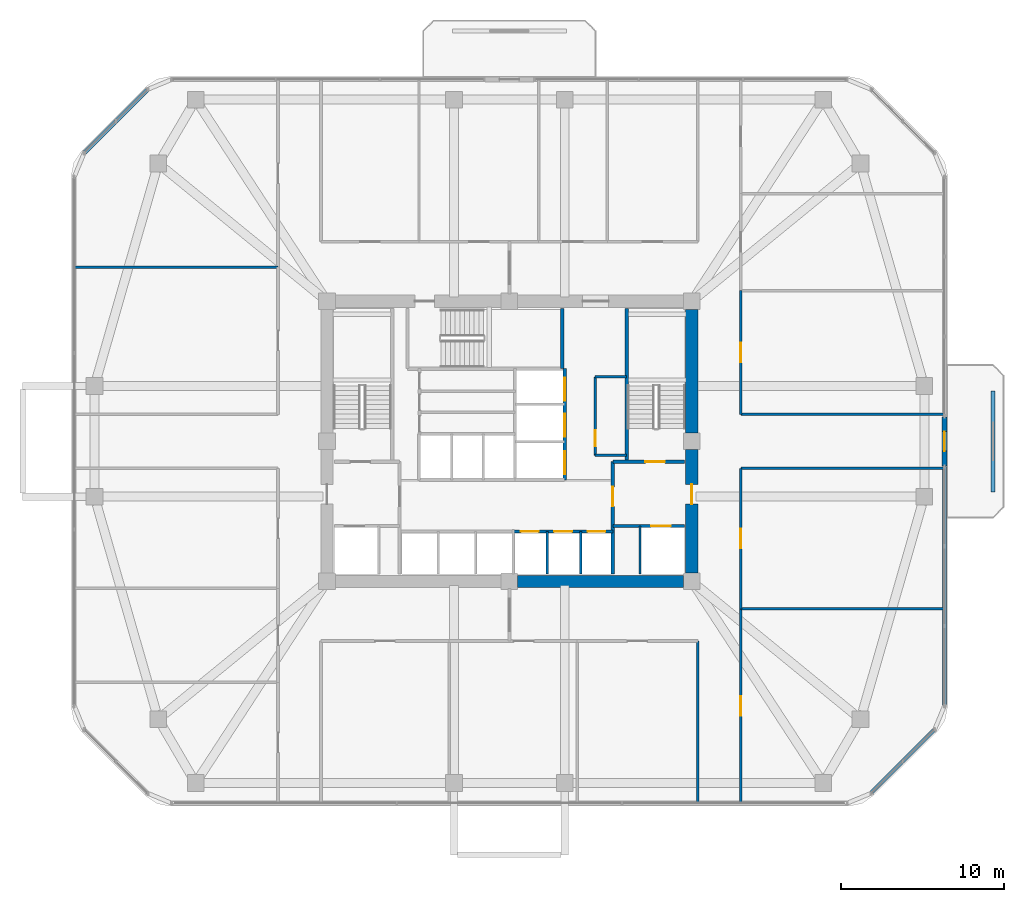
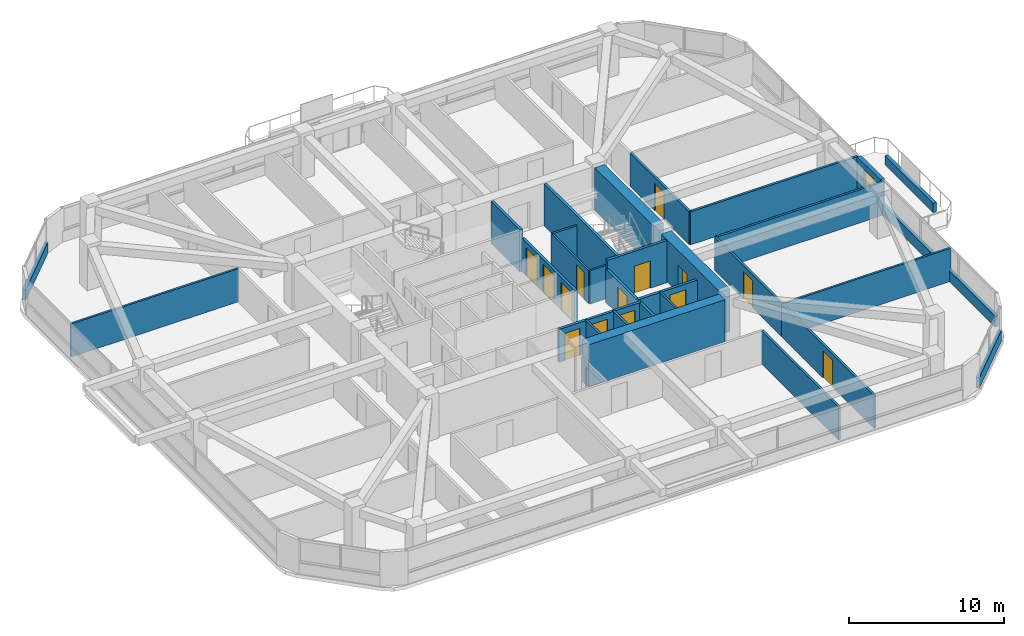
# One storey, part 10 of 14: 29 walls, 15 doors, 15 openings.
"""IFC4 building model written with IfcOpenShell, lengths in metres."""

from ifc_helpers import new_model, si_unit, derived_unit, direction, frame, frame_2d, origin, place, context, subcontext, project, spatial, rectangle, extrude, material, layer, layer_set, type_object, element, fill, save


model = new_model("IFC4")

# Units and contexts
model_context = context("Model", 3, precision=1e-05, world=origin(), true_north=direction((0.0, 1.0)))
body_context = subcontext(model_context, "Body", "Model", "MODEL_VIEW")
ifc_project = project(units=[si_unit("LENGTHUNIT", "METRE"), si_unit("AREAUNIT", "SQUARE_METRE"), si_unit("VOLUMEUNIT", "CUBIC_METRE"), si_unit("PLANEANGLEUNIT", "RADIAN"), si_unit("MASSUNIT", "GRAM", prefix="KILO"), derived_unit("THERMALTRANSMITTANCEUNIT", [(si_unit("POWERUNIT", "WATT"), 1), (si_unit("LENGTHUNIT", "METRE"), -2), (si_unit("THERMODYNAMICTEMPERATUREUNIT", "KELVIN"), -1)])], contexts=[model_context])

# Site, building, storey
site_placement = place(None, origin())
site = spatial("IfcSite", under=ifc_project, at=site_placement, CompositionType="ELEMENT")
building_placement = place(site_placement, origin())
building = spatial("IfcBuilding", under=site, at=building_placement, Name="Koralith Skygarden Medical Center", CompositionType="ELEMENT")
storey_placement = place(building_placement, frame((0.0, 0.0, 81.179931640625)))
storey = spatial("IfcBuildingStorey", under=building, at=storey_placement, Name="L20", CompositionType="ELEMENT", Elevation=81.179931640625)

# Wall, opening, door
ifc_material_1 = material(Name="Gypsum Board Partition")
ifc_layer_1 = layer(ifc_material_1, 0.14990234375)
ifc_layer_set_1 = layer_set([ifc_layer_1], Name="Gypsum Board Partition")
wall_type_1 = type_object("IfcWallType", Name="Clinical Acoustic Partition 150", PredefinedType="PARTITIONING", material=ifc_layer_set_1)
wall_1_placement = place(storey_placement, frame((42.27001953125, 25.0400390625, 0.0), z_axis=(0.0, 0.0, 1.0), x_axis=(0.0, 1.0, 0.0)))
wall_1 = element("IfcWall", 1, at=wall_1_placement, inside=storey, type_object=wall_type_1, Name="L20 Clinical Acoustic Partition 150 W-CORE-L20-ESUB-W", PredefinedType="PARTITIONING", context=body_context, shape_type="SweptSolid", body=[
    extrude(rectangle(XDim=4.820068359375, YDim=0.14990234375, at=frame_2d((2.41015625, 0.0))), origin(), (0.0, 0.0, 1.0), 2.610107421875),
])
opening_1_placement = place(wall_1_placement, frame((0.550048828125, 0.0, 0.0)))
opening_1 = element("IfcOpeningElement", 2, at=opening_1_placement, cuts=wall_1, Name="Opening D-SUP", PredefinedType="OPENING", context=body_context, shape_type="SweptSolid", body=[
    extrude(rectangle(XDim=1.0, YDim=2.14990234375, at=frame_2d((0.5, 1.074951171875))), frame((0.0, 0.0849609375, 0.0), z_axis=(0.0, -1.0, 0.0), x_axis=(1.0, 0.0, 0.0)), (0.0, 0.0, 1.0), 0.169921875),
])
ifc_material_2 = material(Name="Aluminium 6063-T6", Category="aluminium")
door_type_1 = type_object("IfcDoorType", Name="Clinical Support Door D-SUP 1000", OperationType="NOTDEFINED", PredefinedType="DOOR", material=ifc_material_2)
door_1_placement = place(opening_1_placement, origin())
door_1 = element("IfcDoor", 3, at=door_1_placement, inside=storey, type_object=door_type_1, Name="L20 Core Equipment Store Door", OperationType="SINGLE_SWING_LEFT", OverallHeight=2.14990234375, OverallWidth=1.0, PredefinedType="DOOR", context=body_context, shape_type="SweptSolid", body=[
    extrude(rectangle(XDim=1.0, YDim=2.14990234375, at=frame_2d((0.5, 1.074951171875))), frame((0.0, 0.02490234375, 0.0), z_axis=(0.0, -1.0, 0.0), x_axis=(1.0, 0.0, 0.0)), (0.0, 0.0, 1.0), 0.050048828125),
])
fill(opening_1, door_1)

# Walls
for number, where, z_axis, x_axis, name in (
    (4, (42.27001953125, 25.0400390625, 0.0), (0.0, 0.0, 1.0), (1.0, 0.0, 0.0), "L20 Clinical Acoustic Partition 150 W-CORE-L20-ESUB-S"),
    (5, (42.27001953125, 29.860107421875, 0.0), (0.0, 0.0, 1.0), (1.0, 0.0, 0.0), "L20 Clinical Acoustic Partition 150 W-CORE-L20-ESUB-N"),
):
    element("IfcWall", number, at=place(storey_placement, frame(where, z_axis=z_axis, x_axis=x_axis)), inside=storey, type_object=wall_type_1, Name=name, PredefinedType="PARTITIONING", context=body_context, shape_type="SweptSolid", body=[
        extrude(rectangle(XDim=1.929931640625, YDim=0.14990234375, at=frame_2d((0.96484375, 0.0))), origin(), (0.0, 0.0, 1.0), 2.610107421875),
    ])
for number, where, z_axis, x_axis, name in (
    (6, (22.7900390625, 36.597900390625, 0.0), (0.0, 0.0, 1.0), (-1.0, 0.0, 0.0), "L20 Clinical Acoustic Partition 150 W-PART-L20-WN-01"),
    (7, (51.2099609375, 15.613037109375, 0.0), (0.0, 0.0, 1.0), (1.0, 0.0, 0.0), "L20 Clinical Acoustic Partition 150 W-PART-L20-ES-01"),
):
    element("IfcWall", number, at=place(storey_placement, frame(where, z_axis=z_axis, x_axis=x_axis)), inside=storey, type_object=wall_type_1, Name=name, PredefinedType="PARTITIONING", context=body_context, shape_type="SweptSolid", body=[
        extrude(rectangle(XDim=12.489990234375, YDim=0.14990234375, at=frame_2d((6.2451171875, 0.0))), origin(), (0.0, 0.0, 1.0), 2.610107421875),
    ])
ifc_layer_2 = layer(ifc_material_1, 0.1650390625)
ifc_layer_set_2 = layer_set([ifc_layer_2], Name="Gypsum Board Partition")
wall_type_2 = type_object("IfcWallType", Name="Clinical Corridor Partition 165", PredefinedType="PARTITIONING", material=ifc_layer_set_2)
wall_2_placement = place(storey_placement, frame((48.570068359375, 3.699951171875, 0.0), z_axis=(0.0, 0.0, 1.0), x_axis=(0.0, 1.0, 0.0)))
element("IfcWall", 8, at=wall_2_placement, inside=storey, type_object=wall_type_2, Name="L20 Clinical Corridor Partition 165 W-HCOR-L20-SE", PredefinedType="PARTITIONING", context=body_context, shape_type="SweptSolid", body=[
    extrude(rectangle(XDim=9.93994140625, YDim=0.1650390625, at=frame_2d((4.969970703125, 0.0))), origin(), (0.0, 0.0, 1.0), 2.610107421875),
])
for number, where, z_axis, x_axis, name in (
    (9, (51.2099609375, 24.239990234375, 0.0), (0.0, 0.0, 1.0), (1.0, 0.0, 0.0), "L20 Clinical Corridor Partition 165 W-HCOR-L20-EWS-E"),
    (10, (51.2099609375, 27.56005859375, 0.0), (0.0, 0.0, 1.0), (1.0, 0.0, 0.0), "L20 Clinical Corridor Partition 165 W-HCOR-L20-EWN-E"),
):
    element("IfcWall", number, at=place(storey_placement, frame(where, z_axis=z_axis, x_axis=x_axis)), inside=storey, type_object=wall_type_2, Name=name, PredefinedType="PARTITIONING", context=body_context, shape_type="SweptSolid", body=[
        extrude(rectangle(XDim=12.489990234375, YDim=0.1650390625, at=frame_2d((6.2451171875, 0.0))), origin(), (0.0, 0.0, 1.0), 2.610107421875),
    ])

# Wall, opening, door
wall_3_placement = place(storey_placement, frame((51.2099609375, 3.699951171875, 0.0), z_axis=(0.0, 0.0, 1.0), x_axis=(0.0, 1.0, 0.0)))
wall_3 = element("IfcWall", 11, at=wall_3_placement, inside=storey, type_object=wall_type_2, Name="L20 Clinical Corridor Partition 165 W-CORR-L20-ES-01", PredefinedType="PARTITIONING", context=body_context, shape_type="SweptSolid", body=[
    extrude(rectangle(XDim=11.9130859375, YDim=0.1650390625, at=frame_2d((5.95654296875, 0.0))), origin(), (0.0, 0.0, 1.0), 2.610107421875),
])
opening_2_placement = place(wall_3_placement, frame((5.35693359375, 0.0, 0.0)))
opening_2 = element("IfcOpeningElement", 12, at=opening_2_placement, cuts=wall_3, Name="Opening D-CLN", PredefinedType="OPENING", context=body_context, shape_type="SweptSolid", body=[
    extrude(rectangle(XDim=1.199951171875, YDim=2.14990234375, at=frame_2d((0.60009765625, 1.074951171875))), frame((0.0, 0.092529296875, 0.0), z_axis=(0.0, -1.0, 0.0), x_axis=(1.0, 0.0, 0.0)), (0.0, 0.0, 1.0), 0.18505859375),
])
door_type_2 = type_object("IfcDoorType", Name="Clinical Corridor Door D-CLN 1200", OperationType="NOTDEFINED", PredefinedType="DOOR", material=ifc_material_2)
door_2_placement = place(opening_2_placement, origin())
door_2 = element("IfcDoor", 13, at=door_2_placement, inside=storey, type_object=door_type_2, Name="L20 Clinical Consultation Office 13 Door", OperationType="SINGLE_SWING_RIGHT", OverallHeight=2.14990234375, OverallWidth=1.199951171875, PredefinedType="DOOR", context=body_context, shape_type="SweptSolid", body=[
    extrude(rectangle(XDim=1.199951171875, YDim=2.14990234375, at=frame_2d((0.60009765625, 1.074951171875))), frame((0.0, 0.02490234375, 0.0), z_axis=(0.0, -1.0, 0.0), x_axis=(1.0, 0.0, 0.0)), (0.0, 0.0, 1.0), 0.050048828125),
])
fill(opening_2, door_2)

wall_4_placement = place(storey_placement, frame((51.2099609375, 15.613037109375, 0.0), z_axis=(0.0, 0.0, 1.0), x_axis=(0.0, 1.0, 0.0)))
wall_4 = element("IfcWall", 14, at=wall_4_placement, inside=storey, type_object=wall_type_2, Name="L20 Clinical Corridor Partition 165 W-CORR-L20-ES-02", PredefinedType="PARTITIONING", context=body_context, shape_type="SweptSolid", body=[
    extrude(rectangle(XDim=8.626953125, YDim=0.1650390625, at=frame_2d((4.3134765625, 0.0))), origin(), (0.0, 0.0, 1.0), 2.610107421875),
])
opening_3_placement = place(wall_4_placement, frame((3.712890625, 0.0, 0.0)))
opening_3 = element("IfcOpeningElement", 15, at=opening_3_placement, cuts=wall_4, Name="Opening D-CLN", PredefinedType="OPENING", context=body_context, shape_type="SweptSolid", body=[
    extrude(rectangle(XDim=1.199951171875, YDim=2.14990234375, at=frame_2d((0.60009765625, 1.074951171875))), frame((0.0, 0.092529296875, 0.0), z_axis=(0.0, -1.0, 0.0), x_axis=(1.0, 0.0, 0.0)), (0.0, 0.0, 1.0), 0.18505859375),
])
door_3_placement = place(opening_3_placement, origin())
door_3 = element("IfcDoor", 16, at=door_3_placement, inside=storey, type_object=door_type_2, Name="L20 Physician Consultation Office 14 Door", OperationType="SINGLE_SWING_LEFT", OverallHeight=2.14990234375, OverallWidth=1.199951171875, PredefinedType="DOOR", context=body_context, shape_type="SweptSolid", body=[
    extrude(rectangle(XDim=1.199951171875, YDim=2.14990234375, at=frame_2d((0.60009765625, 1.074951171875))), frame((0.0, 0.02490234375, 0.0), z_axis=(0.0, -1.0, 0.0), x_axis=(1.0, 0.0, 0.0)), (0.0, 0.0, 1.0), 0.050048828125),
])
fill(opening_3, door_3)

wall_5_placement = place(storey_placement, frame((51.2099609375, 27.56005859375, 0.0), z_axis=(0.0, 0.0, 1.0), x_axis=(0.0, 1.0, 0.0)))
wall_5 = element("IfcWall", 17, at=wall_5_placement, inside=storey, type_object=wall_type_2, Name="L20 Clinical Corridor Partition 165 W-CORR-L20-EN-01", PredefinedType="PARTITIONING", context=body_context, shape_type="SweptSolid", body=[
    extrude(rectangle(XDim=7.5908203125, YDim=0.1650390625, at=frame_2d((3.79541015625, 0.0))), origin(), (0.0, 0.0, 1.0), 2.610107421875),
])
opening_4_placement = place(wall_5_placement, frame((3.196044921875, 0.0, 0.0)))
opening_4 = element("IfcOpeningElement", 18, at=opening_4_placement, cuts=wall_5, Name="Opening D-CLN", PredefinedType="OPENING", context=body_context, shape_type="SweptSolid", body=[
    extrude(rectangle(XDim=1.199951171875, YDim=2.14990234375, at=frame_2d((0.60009765625, 1.074951171875))), frame((0.0, 0.092529296875, 0.0), z_axis=(0.0, -1.0, 0.0), x_axis=(1.0, 0.0, 0.0)), (0.0, 0.0, 1.0), 0.18505859375),
])
door_4_placement = place(opening_4_placement, origin())
door_4 = element("IfcDoor", 19, at=door_4_placement, inside=storey, type_object=door_type_2, Name="L20 Clinical Case Conference Room 15 Door", OperationType="SINGLE_SWING_RIGHT", OverallHeight=2.14990234375, OverallWidth=1.199951171875, PredefinedType="DOOR", context=body_context, shape_type="SweptSolid", body=[
    extrude(rectangle(XDim=1.199951171875, YDim=2.14990234375, at=frame_2d((0.60009765625, 1.074951171875))), frame((0.0, 0.02490234375, 0.0), z_axis=(0.0, -1.0, 0.0), x_axis=(1.0, 0.0, 0.0)), (0.0, 0.0, 1.0), 0.050048828125),
])
fill(opening_4, door_4)

ifc_layer_3 = layer(ifc_material_1, 0.199951171875)
ifc_layer_set_3 = layer_set([ifc_layer_3], Name="Gypsum Board Partition")
wall_type_3 = type_object("IfcWallType", Name="Fire Shaft Wall 200", PredefinedType="SOLIDWALL", material=ifc_layer_set_3)
wall_6_placement = place(storey_placement, frame((43.35009765625, 20.699951171875, 0.0), z_axis=(0.0, 0.0, 1.0), x_axis=(1.0, 0.0, 0.0)))
wall_6 = element("IfcWall", 20, at=wall_6_placement, inside=storey, type_object=wall_type_3, Name="L20 Fire Shaft Wall 200 W-CORE-L20-FF2-N", PredefinedType="SOLIDWALL", context=body_context, shape_type="SweptSolid", body=[
    extrude(rectangle(XDim=4.39990234375, YDim=0.199951171875, at=frame_2d((2.199951171875, 0.0))), origin(), (0.0, 0.0, 1.0), 2.610107421875),
])
opening_5_placement = place(wall_6_placement, frame((2.35009765625, 0.0, 0.0)))
opening_5 = element("IfcOpeningElement", 21, at=opening_5_placement, cuts=wall_6, Name="Opening LD-FF", PredefinedType="OPENING", context=body_context, shape_type="SweptSolid", body=[
    extrude(rectangle(XDim=1.199951171875, YDim=2.14990234375, at=frame_2d((0.60009765625, 1.074951171875))), frame((0.0, 0.10986328125, 0.0), z_axis=(0.0, -1.0, 0.0), x_axis=(1.0, 0.0, 0.0)), (0.0, 0.0, 1.0), 0.219970703125),
])
ifc_material_3 = material(Name="Steel ASTM A500 Grade C", Category="steel")
door_type_3 = type_object("IfcDoorType", Name="Fire Lift Sliding Landing Door LD-FF 1200", OperationType="NOTDEFINED", PredefinedType="DOOR", material=ifc_material_3)
door_5_placement = place(opening_5_placement, origin())
door_5 = element("IfcDoor", 22, at=door_5_placement, inside=storey, type_object=door_type_3, Name="L20 Fire Service Elevator FF2 Landing Door", OperationType="SLIDING_TO_RIGHT", OverallHeight=2.14990234375, OverallWidth=1.199951171875, PredefinedType="DOOR", context=body_context, shape_type="SweptSolid", body=[
    extrude(rectangle(XDim=1.199951171875, YDim=2.14990234375, at=frame_2d((0.60009765625, 1.074951171875))), frame((0.0, 0.02490234375, 0.0), z_axis=(0.0, -1.0, 0.0), x_axis=(1.0, 0.0, 0.0)), (0.0, 0.0, 1.0), 0.050048828125),
])
fill(opening_5, door_5)

wall_7_placement = place(storey_placement, frame((43.35009765625, 17.75, 0.0), z_axis=(0.0, 0.0, 1.0), x_axis=(0.0, 1.0, 0.0)))
wall_7 = element("IfcWall", 23, at=wall_7_placement, inside=storey, type_object=wall_type_3, Name="L20 Fire Shaft Wall 200 W-CORE-L20-FSAEE-W", PredefinedType="SOLIDWALL", context=body_context, shape_type="SweptSolid", body=[
    extrude(rectangle(XDim=6.89990234375, YDim=0.199951171875, at=frame_2d((3.449951171875, 0.0))), origin(), (0.0, 0.0, 1.0), 2.610107421875),
])
opening_6_placement = place(wall_7_placement, frame((4.14990234375, 0.0, 0.0)))
opening_6 = element("IfcOpeningElement", 24, at=opening_6_placement, cuts=wall_7, Name="Opening D-ST60", PredefinedType="OPENING", context=body_context, shape_type="SweptSolid", body=[
    extrude(rectangle(XDim=1.199951171875, YDim=2.14990234375, at=frame_2d((0.60009765625, 1.074951171875))), frame((0.0, 0.10986328125, 0.0), z_axis=(0.0, -1.0, 0.0), x_axis=(1.0, 0.0, 0.0)), (0.0, 0.0, 1.0), 0.219970703125),
])
door_type_4 = type_object("IfcDoorType", Name="Smokeproof Stair Fire Door FD60S 1200", OperationType="NOTDEFINED", PredefinedType="DOOR", material=ifc_material_3)
door_6_placement = place(opening_6_placement, frame((1.199951171875, 0.0, 0.0), z_axis=(0.0, 0.0, 1.0), x_axis=(-1.0, 0.0, 0.0)))
door_6 = element("IfcDoor", 25, at=door_6_placement, inside=storey, type_object=door_type_4, Name="L20 East Firefighting Lobby Inner Fire Door", OperationType="SINGLE_SWING_RIGHT", OverallHeight=2.14990234375, OverallWidth=1.199951171875, PredefinedType="DOOR", context=body_context, shape_type="SweptSolid", body=[
    extrude(rectangle(XDim=1.199951171875, YDim=2.14990234375, at=frame_2d((0.60009765625, 1.074951171875))), frame((0.0, 0.02490234375, 0.0), z_axis=(0.0, -1.0, 0.0), x_axis=(1.0, 0.0, 0.0)), (0.0, 0.0, 1.0), 0.050048828125),
])
fill(opening_6, door_6)

# Wall, openings, doors
wall_8_placement = place(storey_placement, frame((37.25, 20.360107421875, 0.0), z_axis=(0.0, 0.0, 1.0), x_axis=(1.0, 0.0, 0.0)))
wall_8 = element("IfcWall", 26, at=wall_8_placement, inside=storey, type_object=wall_type_3, Name="L20 Fire Shaft Wall 200 W-CORE-L20-PM-N", PredefinedType="SOLIDWALL", context=body_context, shape_type="SweptSolid", body=[
    extrude(rectangle(XDim=6.10009765625, YDim=0.199951171875, at=frame_2d((3.050048828125, 0.0))), origin(), (0.0, 0.0, 1.0), 2.610107421875),
])
opening_7_placement = place(wall_8_placement, frame((0.449951171875, 0.0, 0.0)))
opening_7 = element("IfcOpeningElement", 27, at=opening_7_placement, cuts=wall_8, Name="Opening LD-P", PredefinedType="OPENING", context=body_context, shape_type="SweptSolid", body=[
    extrude(rectangle(XDim=1.10009765625, YDim=2.14990234375, at=frame_2d((0.550048828125, 1.074951171875))), frame((0.0, 0.10986328125, 0.0), z_axis=(0.0, -1.0, 0.0), x_axis=(1.0, 0.0, 0.0)), (0.0, 0.0, 1.0), 0.219970703125),
])
opening_8_placement = place(wall_8_placement, frame((2.5, 0.0, 0.0)))
opening_8 = element("IfcOpeningElement", 28, at=opening_8_placement, cuts=wall_8, Name="Opening LD-P", PredefinedType="OPENING", context=body_context, shape_type="SweptSolid", body=[
    extrude(rectangle(XDim=1.10009765625, YDim=2.14990234375, at=frame_2d((0.550048828125, 1.074951171875))), frame((0.0, 0.10986328125, 0.0), z_axis=(0.0, -1.0, 0.0), x_axis=(1.0, 0.0, 0.0)), (0.0, 0.0, 1.0), 0.219970703125),
])
opening_9_placement = place(wall_8_placement, frame((4.550048828125, 0.0, 0.0)))
opening_9 = element("IfcOpeningElement", 29, at=opening_9_placement, cuts=wall_8, Name="Opening LD-P", PredefinedType="OPENING", context=body_context, shape_type="SweptSolid", body=[
    extrude(rectangle(XDim=1.10009765625, YDim=2.14990234375, at=frame_2d((0.550048828125, 1.074951171875))), frame((0.0, 0.10986328125, 0.0), z_axis=(0.0, -1.0, 0.0), x_axis=(1.0, 0.0, 0.0)), (0.0, 0.0, 1.0), 0.219970703125),
])
door_type_5 = type_object("IfcDoorType", Name="Passenger Lift Sliding Landing Door LD-P 1100", OperationType="NOTDEFINED", PredefinedType="DOOR", material=ifc_material_3)
door_7_placement = place(opening_7_placement, origin())
door_7 = element("IfcDoor", 30, at=door_7_placement, inside=storey, type_object=door_type_5, Name="L20 Passenger Elevator PM1 Landing Door", OperationType="SLIDING_TO_LEFT", OverallHeight=2.14990234375, OverallWidth=1.10009765625, PredefinedType="DOOR", context=body_context, shape_type="SweptSolid", body=[
    extrude(rectangle(XDim=1.10009765625, YDim=2.14990234375, at=frame_2d((0.550048828125, 1.074951171875))), frame((0.0, 0.02490234375, 0.0), z_axis=(0.0, -1.0, 0.0), x_axis=(1.0, 0.0, 0.0)), (0.0, 0.0, 1.0), 0.050048828125),
])
fill(opening_7, door_7)
door_8_placement = place(opening_8_placement, origin())
door_8 = element("IfcDoor", 31, at=door_8_placement, inside=storey, type_object=door_type_5, Name="L20 Passenger Elevator PM2 Landing Door", OperationType="SLIDING_TO_LEFT", OverallHeight=2.14990234375, OverallWidth=1.10009765625, PredefinedType="DOOR", context=body_context, shape_type="SweptSolid", body=[
    extrude(rectangle(XDim=1.10009765625, YDim=2.14990234375, at=frame_2d((0.550048828125, 1.074951171875))), frame((0.0, 0.02490234375, 0.0), z_axis=(0.0, -1.0, 0.0), x_axis=(1.0, 0.0, 0.0)), (0.0, 0.0, 1.0), 0.050048828125),
])
fill(opening_8, door_8)
door_9_placement = place(opening_9_placement, origin())
door_9 = element("IfcDoor", 32, at=door_9_placement, inside=storey, type_object=door_type_5, Name="L20 Passenger Elevator PM3 Landing Door", OperationType="SLIDING_TO_LEFT", OverallHeight=2.14990234375, OverallWidth=1.10009765625, PredefinedType="DOOR", context=body_context, shape_type="SweptSolid", body=[
    extrude(rectangle(XDim=1.10009765625, YDim=2.14990234375, at=frame_2d((0.550048828125, 1.074951171875))), frame((0.0, 0.02490234375, 0.0), z_axis=(0.0, -1.0, 0.0), x_axis=(1.0, 0.0, 0.0)), (0.0, 0.0, 1.0), 0.050048828125),
])
fill(opening_9, door_9)

wall_9_placement = place(storey_placement, frame((40.39990234375, 23.5400390625, 0.0), z_axis=(0.0, 0.0, 1.0), x_axis=(0.0, 1.0, 0.0)))
wall_9 = element("IfcWall", 33, at=wall_9_placement, inside=storey, type_object=wall_type_3, Name="L20 Fire Shaft Wall 200 W-CORE-L20-SV-E", PredefinedType="SOLIDWALL", context=body_context, shape_type="SweptSolid", body=[
    extrude(rectangle(XDim=6.820068359375, YDim=0.199951171875, at=frame_2d((3.41015625, 0.0))), origin(), (0.0, 0.0, 1.0), 2.610107421875),
])
opening_10_placement = place(wall_9_placement, frame((0.35009765625, 0.0, 0.0)))
opening_10 = element("IfcOpeningElement", 34, at=opening_10_placement, cuts=wall_9, Name="Opening LD-SV", PredefinedType="OPENING", context=body_context, shape_type="SweptSolid", body=[
    extrude(rectangle(XDim=1.39990234375, YDim=2.199951171875, at=frame_2d((0.699951171875, 1.10009765625))), frame((0.0, 0.10986328125, 0.0), z_axis=(0.0, -1.0, 0.0), x_axis=(1.0, 0.0, 0.0)), (0.0, 0.0, 1.0), 0.219970703125),
])
opening_11_placement = place(wall_9_placement, frame((2.64990234375, 0.0, 0.0)))
opening_11 = element("IfcOpeningElement", 35, at=opening_11_placement, cuts=wall_9, Name="Opening LD-SV", PredefinedType="OPENING", context=body_context, shape_type="SweptSolid", body=[
    extrude(rectangle(XDim=1.39990234375, YDim=2.199951171875, at=frame_2d((0.699951171875, 1.10009765625))), frame((0.0, 0.10986328125, 0.0), z_axis=(0.0, -1.0, 0.0), x_axis=(1.0, 0.0, 0.0)), (0.0, 0.0, 1.0), 0.219970703125),
])
opening_12_placement = place(wall_9_placement, frame((4.85009765625, 0.0, 0.0)))
opening_12 = element("IfcOpeningElement", 36, at=opening_12_placement, cuts=wall_9, Name="Opening LD-SV", PredefinedType="OPENING", context=body_context, shape_type="SweptSolid", body=[
    extrude(rectangle(XDim=1.39990234375, YDim=2.199951171875, at=frame_2d((0.699951171875, 1.10009765625))), frame((0.0, 0.10986328125, 0.0), z_axis=(0.0, -1.0, 0.0), x_axis=(1.0, 0.0, 0.0)), (0.0, 0.0, 1.0), 0.219970703125),
])
door_type_6 = type_object("IfcDoorType", Name="Bed Lift Sliding Landing Door LD-SV 1400", OperationType="NOTDEFINED", PredefinedType="DOOR", material=ifc_material_3)
door_10_placement = place(opening_10_placement, origin())
door_10 = element("IfcDoor", 37, at=door_10_placement, inside=storey, type_object=door_type_6, Name="L20 Bed Elevator BD1 Landing Door", OperationType="SLIDING_TO_LEFT", OverallHeight=2.199951171875, OverallWidth=1.39990234375, PredefinedType="DOOR", context=body_context, shape_type="SweptSolid", body=[
    extrude(rectangle(XDim=1.39990234375, YDim=2.199951171875, at=frame_2d((0.699951171875, 1.10009765625))), frame((0.0, 0.02490234375, 0.0), z_axis=(0.0, -1.0, 0.0), x_axis=(1.0, 0.0, 0.0)), (0.0, 0.0, 1.0), 0.050048828125),
])
fill(opening_10, door_10)
door_11_placement = place(opening_11_placement, origin())
door_11 = element("IfcDoor", 38, at=door_11_placement, inside=storey, type_object=door_type_6, Name="L20 Service Elevator BD2 Landing Door", OperationType="SLIDING_TO_LEFT", OverallHeight=2.199951171875, OverallWidth=1.39990234375, PredefinedType="DOOR", context=body_context, shape_type="SweptSolid", body=[
    extrude(rectangle(XDim=1.39990234375, YDim=2.199951171875, at=frame_2d((0.699951171875, 1.10009765625))), frame((0.0, 0.02490234375, 0.0), z_axis=(0.0, -1.0, 0.0), x_axis=(1.0, 0.0, 0.0)), (0.0, 0.0, 1.0), 0.050048828125),
])
fill(opening_11, door_11)
door_12_placement = place(opening_12_placement, origin())
door_12 = element("IfcDoor", 39, at=door_12_placement, inside=storey, type_object=door_type_6, Name="L20 Trauma Elevator TR1 Landing Door", OperationType="SLIDING_TO_RIGHT", OverallHeight=2.199951171875, OverallWidth=1.39990234375, PredefinedType="DOOR", context=body_context, shape_type="SweptSolid", body=[
    extrude(rectangle(XDim=1.39990234375, YDim=2.199951171875, at=frame_2d((0.699951171875, 1.10009765625))), frame((0.0, 0.02490234375, 0.0), z_axis=(0.0, -1.0, 0.0), x_axis=(1.0, 0.0, 0.0)), (0.0, 0.0, 1.0), 0.050048828125),
])
fill(opening_12, door_12)

# Walls
ifc_material_4 = material(Name="Warm Oolitic Limestone Cladding", Category="masonry")
ifc_layer_4 = layer(ifc_material_4, 0.239990234375)
ifc_layer_set_4 = layer_set([ifc_layer_4], Name="Warm Oolitic Limestone Cladding")
wall_type_4 = type_object("IfcWallType", Name="Limestone Spandrel Sill Backup Wall 240", PredefinedType="SOLIDWALL", material=ifc_layer_set_4)
wall_10_placement = place(storey_placement, frame((59.196044921875, 4.281005859375, 0.0), z_axis=(0.0, 0.0, 1.0), x_axis=(0.707084777957, 0.707128783731, 0.0)))
element("IfcWall", 40, at=wall_10_placement, inside=storey, type_object=wall_type_4, Name="L20 Sill Spandrel SE", PredefinedType="SOLIDWALL", context=body_context, shape_type="SweptSolid", body=[
    extrude(rectangle(XDim=5.5478515625, YDim=0.239990234375, at=frame_2d((2.77392578125, 0.0))), origin(), (0.0, 0.0, 1.0), 0.85009765625),
])
wall_11_placement = place(storey_placement, frame((63.719970703125, 9.655029296875, 0.0), z_axis=(0.0, 0.0, 1.0), x_axis=(0.0, 1.0, 0.0)))
element("IfcWall", 41, at=wall_11_placement, inside=storey, type_object=wall_type_4, Name="L20 Sill Spandrel E-L", PredefinedType="SOLIDWALL", context=body_context, shape_type="SweptSolid", body=[
    extrude(rectangle(XDim=14.703857421875, YDim=0.239990234375, at=frame_2d((7.35205078125, 0.0))), origin(), (0.0, 0.0, 1.0), 0.85009765625),
])
wall_12_placement = place(storey_placement, frame((14.803955078125, 47.51904296875, 0.0), z_axis=(0.0, 0.0, 1.0), x_axis=(-0.707084777957, -0.707128783731, 0.0)))
element("IfcWall", 42, at=wall_12_placement, inside=storey, type_object=wall_type_4, Name="L20 Sill Spandrel NW", PredefinedType="SOLIDWALL", context=body_context, shape_type="SweptSolid", body=[
    extrude(rectangle(XDim=5.5478515625, YDim=0.239990234375, at=frame_2d((2.77392578125, 0.0))), origin(), (0.0, 0.0, 1.0), 0.85009765625),
])
ifc_material_5 = material(Name="Concrete C70/85", Category="concrete")
ifc_layer_5 = layer(ifc_material_5, 0.75)
ifc_layer_set_5 = layer_set([ifc_layer_5], Name="Concrete C70/85")
wall_type_5 = type_object("IfcWallType", Name="Mid Core Shear Wall 750", PredefinedType="SHEAR", material=ifc_layer_set_5)
wall_13_placement = place(storey_placement, frame((37.5048828125, 17.300048828125, 0.0), z_axis=(0.0, 0.0, 1.0), x_axis=(1.0, 0.0, 0.0)))
element("IfcWall", 43, at=wall_13_placement, inside=storey, type_object=wall_type_5, Name="L20 Core Shear Wall Segment 2", PredefinedType="SHEAR", context=body_context, shape_type="SweptSolid", body=[
    extrude(rectangle(XDim=10.190185546875, YDim=0.75, at=frame_2d((5.09521484375, 0.0))), origin(), (0.0, 0.0, 1.0), 3.320068359375),
])

# Wall, opening, door
wall_14_placement = place(storey_placement, frame((48.199951171875, 17.804931640625, 0.0), z_axis=(0.0, 0.0, 1.0), x_axis=(0.0, 1.0, 0.0)))
wall_14 = element("IfcWall", 44, at=wall_14_placement, inside=storey, type_object=wall_type_5, Name="L20 Core Shear Wall Segment 3", PredefinedType="SHEAR", context=body_context, shape_type="SweptSolid", body=[
    extrude(rectangle(XDim=7.590087890625, YDim=0.75, at=frame_2d((3.794921875, 0.0))), origin(), (0.0, 0.0, 1.0), 3.320068359375),
])
opening_13_placement = place(wall_14_placement, frame((4.2451171875, 0.0, 0.0)))
opening_13 = element("IfcOpeningElement", 45, at=opening_13_placement, cuts=wall_14, Name="Opening D-ST60", PredefinedType="OPENING", context=body_context, shape_type="SweptSolid", body=[
    extrude(rectangle(XDim=1.199951171875, YDim=2.14990234375, at=frame_2d((0.60009765625, 1.074951171875))), frame((0.0, 0.385009765625, 0.0), z_axis=(0.0, -1.0, 0.0), x_axis=(1.0, 0.0, 0.0)), (0.0, 0.0, 1.0), 0.77001953125),
])
door_13_placement = place(opening_13_placement, frame((1.199951171875, 0.0, 0.0), z_axis=(0.0, 0.0, 1.0), x_axis=(-1.0, 0.0, 0.0)))
door_13 = element("IfcDoor", 46, at=door_13_placement, inside=storey, type_object=door_type_4, Name="L20 East Corridor to Firefighting Lobby Door", OperationType="SINGLE_SWING_RIGHT", OverallHeight=2.14990234375, OverallWidth=1.199951171875, PredefinedType="DOOR", context=body_context, shape_type="SweptSolid", body=[
    extrude(rectangle(XDim=1.199951171875, YDim=2.14990234375, at=frame_2d((0.60009765625, 1.074951171875))), frame((0.0, 0.02490234375, 0.0), z_axis=(0.0, -1.0, 0.0), x_axis=(1.0, 0.0, 0.0)), (0.0, 0.0, 1.0), 0.050048828125),
])
fill(opening_13, door_13)

# Wall
wall_15_placement = place(storey_placement, frame((48.199951171875, 26.405029296875, 0.0), z_axis=(0.0, 0.0, 1.0), x_axis=(0.0, 1.0, 0.0)))
element("IfcWall", 47, at=wall_15_placement, inside=storey, type_object=wall_type_5, Name="L20 Core Shear Wall Segment 4", PredefinedType="SHEAR", context=body_context, shape_type="SweptSolid", body=[
    extrude(rectangle(XDim=7.590087890625, YDim=0.75, at=frame_2d((3.794921875, 0.0))), origin(), (0.0, 0.0, 1.0), 3.320068359375),
])

# Wall, opening, door
ifc_layer_6 = layer(ifc_material_4, 0.300048828125)
ifc_layer_set_6 = layer_set([ifc_layer_6], Name="Warm Oolitic Limestone Cladding")
wall_type_6 = type_object("IfcWallType", Name="Oolitic Limestone Insulated Facade Wall 300", PredefinedType="SOLIDWALL", material=ifc_layer_set_6)
wall_16_placement = place(storey_placement, frame((63.719970703125, 24.39892578125, 0.0), z_axis=(0.0, 0.0, 1.0), x_axis=(0.0, 1.0, 0.0)))
wall_16 = element("IfcWall", 48, at=wall_16_placement, inside=storey, type_object=wall_type_6, Name="L20 Terrace Portal Wall E", PredefinedType="SOLIDWALL", context=body_context, shape_type="SweptSolid", body=[
    extrude(rectangle(XDim=3.0, YDim=0.300048828125, at=frame_2d((1.5, 0.0))), origin(), (0.0, 0.0, 1.0), 2.670166015625),
])
opening_14_placement = place(wall_16_placement, frame((0.89990234375, 0.0, 0.0)))
opening_14 = element("IfcOpeningElement", 49, at=opening_14_placement, cuts=wall_16, Name="Opening D-BAL", PredefinedType="OPENING", context=body_context, shape_type="SweptSolid", body=[
    extrude(rectangle(XDim=1.199951171875, YDim=2.199951171875, at=frame_2d((0.60009765625, 1.10009765625))), frame((0.0, 0.159912109375, 0.0), z_axis=(0.0, -1.0, 0.0), x_axis=(1.0, 0.0, 0.0)), (0.0, 0.0, 1.0), 0.320068359375),
])
door_type_7 = type_object("IfcDoorType", Name="Planted Balcony Glazed Terrace Door D-BAL 1200", OperationType="NOTDEFINED", PredefinedType="DOOR", material=ifc_material_2)
door_14_placement = place(opening_14_placement, origin())
door_14 = element("IfcDoor", 50, at=door_14_placement, inside=storey, type_object=door_type_7, Name="L20 E Outdoor Terrace Access Door", OperationType="SINGLE_SWING_LEFT", OverallHeight=2.199951171875, OverallWidth=1.199951171875, PredefinedType="DOOR", context=body_context, shape_type="SweptSolid", body=[
    extrude(rectangle(XDim=1.199951171875, YDim=2.199951171875, at=frame_2d((0.60009765625, 1.10009765625))), frame((0.0, 0.02490234375, 0.0), z_axis=(0.0, -1.0, 0.0), x_axis=(1.0, 0.0, 0.0)), (0.0, 0.0, 1.0), 0.050048828125),
])
fill(opening_14, door_14)

# Walls
ifc_layer_7 = layer(ifc_material_1, 0.14990234375)
ifc_layer_set_7 = layer_set([ifc_layer_7], Name="Gypsum Board Partition")
wall_type_7 = type_object("IfcWallType", Name="Shaft Partition Wall 150", PredefinedType="PARTITIONING", material=ifc_layer_set_7)
wall_17_placement = place(storey_placement, frame((45.02001953125, 17.75, 0.0), z_axis=(0.0, 0.0, 1.0), x_axis=(0.0, 1.0, 0.0)))
element("IfcWall", 51, at=wall_17_placement, inside=storey, type_object=wall_type_7, Name="L20 Shaft Partition Wall 150 W-CORE-L20-RSRE-DIV", PredefinedType="PARTITIONING", context=body_context, shape_type="SweptSolid", body=[
    extrude(rectangle(XDim=2.949951171875, YDim=0.14990234375, at=frame_2d((1.47509765625, 0.0))), origin(), (0.0, 0.0, 1.0), 2.610107421875),
])
for number, where, z_axis, x_axis, name in (
    (52, (39.320068359375, 17.75, 0.0), (0.0, 0.0, 1.0), (0.0, 1.0, 0.0), "L20 Shaft Partition Wall 150 W-CORE-L20-PM-D1"),
    (53, (41.3701171875, 17.75, 0.0), (0.0, 0.0, 1.0), (0.0, 1.0, 0.0), "L20 Shaft Partition Wall 150 W-CORE-L20-PM-D2"),
):
    element("IfcWall", number, at=place(storey_placement, frame(where, z_axis=z_axis, x_axis=x_axis)), inside=storey, type_object=wall_type_7, Name=name, PredefinedType="PARTITIONING", context=body_context, shape_type="SweptSolid", body=[
        extrude(rectangle(XDim=2.610107421875, YDim=0.14990234375, at=frame_2d((1.30517578125, 0.0))), origin(), (0.0, 0.0, 1.0), 2.610107421875),
    ])
ifc_material_6 = material(Name="Precast concrete C40/50", Category="concrete")
ifc_layer_8 = layer(ifc_material_6, 0.25)
ifc_layer_set_8 = layer_set([ifc_layer_8], Name="Precast concrete C40/50")
wall_type_8 = type_object("IfcWallType", Name="Structural Concrete Balcony Planter Kerb 250", PredefinedType="PARAPET", material=ifc_layer_set_8)
wall_18_placement = place(storey_placement, frame((66.699951171875, 22.800048828125, 0.0), z_axis=(0.0, 0.0, 1.0), x_axis=(0.0, 1.0, 0.0)))
element("IfcWall", 54, at=wall_18_placement, inside=storey, type_object=wall_type_8, Name="L20 E Structural Tree PLANTER Box", PredefinedType="PARAPET", context=body_context, shape_type="SweptSolid", body=[
    extrude(rectangle(XDim=6.199951171875, YDim=0.25, at=frame_2d((3.10009765625, 0.0))), origin(), (0.0, 0.0, 1.0), 0.719970703125),
])
ifc_material_7 = material(Name="Concrete C45/55", Category="concrete")
ifc_layer_9 = layer(ifc_material_7, 0.199951171875)
ifc_layer_set_9 = layer_set([ifc_layer_9], Name="Concrete C45/55")
wall_type_9 = type_object("IfcWallType", Name="Structural Stair Shaft Wall 200", PredefinedType="SHEAR", material=ifc_layer_set_9)
wall_19_placement = place(storey_placement, frame((44.199951171875, 24.64990234375, 0.0), z_axis=(0.0, 0.0, 1.0), x_axis=(0.0, 1.0, 0.0)))
element("IfcWall", 55, at=wall_19_placement, inside=storey, type_object=wall_type_9, Name="L20 Structural Stair Shaft Wall 200 W-CORE-L20-ST2-W", PredefinedType="SHEAR", context=body_context, shape_type="SweptSolid", body=[
    extrude(rectangle(XDim=9.400146484375, YDim=0.199951171875, at=frame_2d((4.7001953125, 0.0))), origin(), (0.0, 0.0, 1.0), 3.320068359375),
])

# Wall, opening, door
wall_20_placement = place(storey_placement, frame((43.35009765625, 24.64990234375, 0.0), z_axis=(0.0, 0.0, 1.0), x_axis=(1.0, 0.0, 0.0)))
wall_20 = element("IfcWall", 56, at=wall_20_placement, inside=storey, type_object=wall_type_9, Name="L20 Structural Stair Shaft Wall 200 W-CORE-L20-ST2-S", PredefinedType="SHEAR", context=body_context, shape_type="SweptSolid", body=[
    extrude(rectangle(XDim=4.39990234375, YDim=0.199951171875, at=frame_2d((2.199951171875, 0.0))), origin(), (0.0, 0.0, 1.0), 3.320068359375),
])
opening_15_placement = place(wall_20_placement, frame((2.0, 0.0, 0.0)))
opening_15 = element("IfcOpeningElement", 57, at=opening_15_placement, cuts=wall_20, Name="Opening D-ST60", PredefinedType="OPENING", context=body_context, shape_type="SweptSolid", body=[
    extrude(rectangle(XDim=1.199951171875, YDim=2.14990234375, at=frame_2d((0.60009765625, 1.074951171875))), frame((0.0, 0.10986328125, 0.0), z_axis=(0.0, -1.0, 0.0), x_axis=(1.0, 0.0, 0.0)), (0.0, 0.0, 1.0), 0.219970703125),
])
door_15_placement = place(opening_15_placement, origin())
door_15 = element("IfcDoor", 58, at=door_15_placement, inside=storey, type_object=door_type_4, Name="L20 Exit Stair ST2 Fire Door", OperationType="SINGLE_SWING_RIGHT", OverallHeight=2.14990234375, OverallWidth=1.199951171875, PredefinedType="DOOR", context=body_context, shape_type="SweptSolid", body=[
    extrude(rectangle(XDim=1.199951171875, YDim=2.14990234375, at=frame_2d((0.60009765625, 1.074951171875))), frame((0.0, 0.02490234375, 0.0), z_axis=(0.0, -1.0, 0.0), x_axis=(1.0, 0.0, 0.0)), (0.0, 0.0, 1.0), 0.050048828125),
])
fill(opening_15, door_15)

# Wall
wall_21_placement = place(storey_placement, frame((40.25, 30.360107421875, 0.0), z_axis=(0.0, 0.0, 1.0), x_axis=(0.0, 1.0, 0.0)))
element("IfcWall", 59, at=wall_21_placement, inside=storey, type_object=wall_type_9, Name="L20 Structural Stair Shaft Wall 200 W-CORE-L20-ST3-E", PredefinedType="SHEAR", context=body_context, shape_type="SweptSolid", body=[
    extrude(rectangle(XDim=3.68994140625, YDim=0.199951171875, at=frame_2d((1.844970703125, 0.0))), origin(), (0.0, 0.0, 1.0), 3.320068359375),
])

save(model, "model.ifc")
